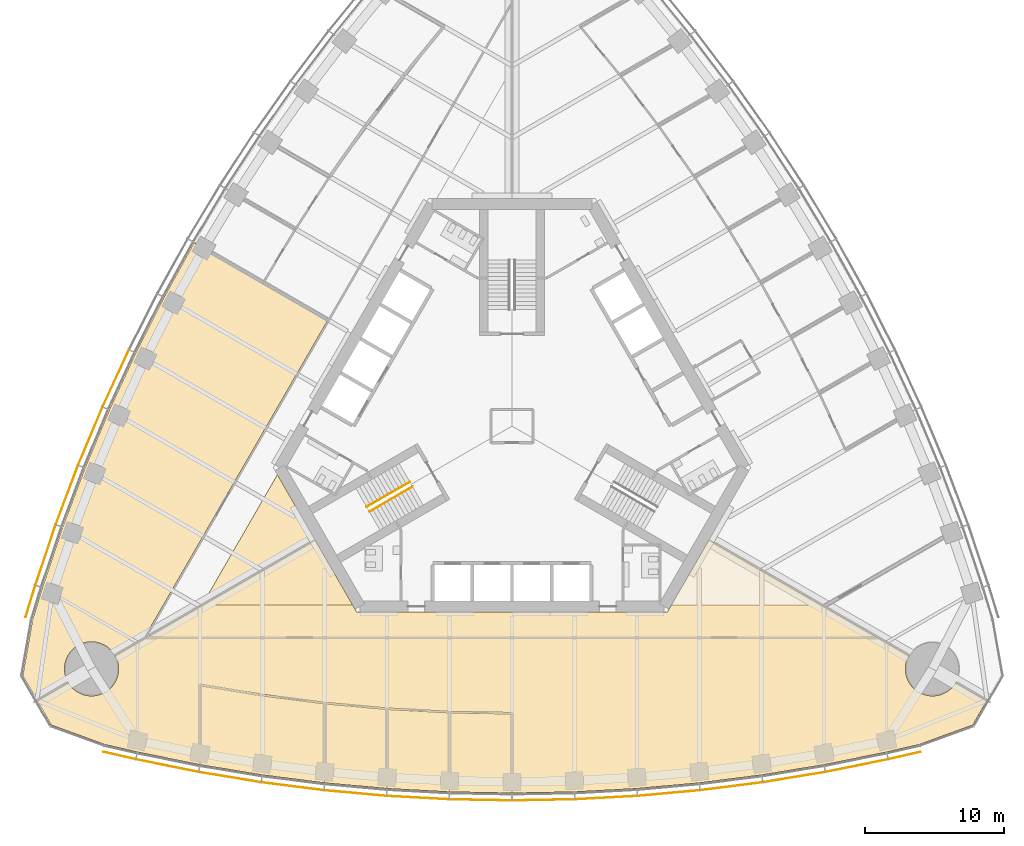
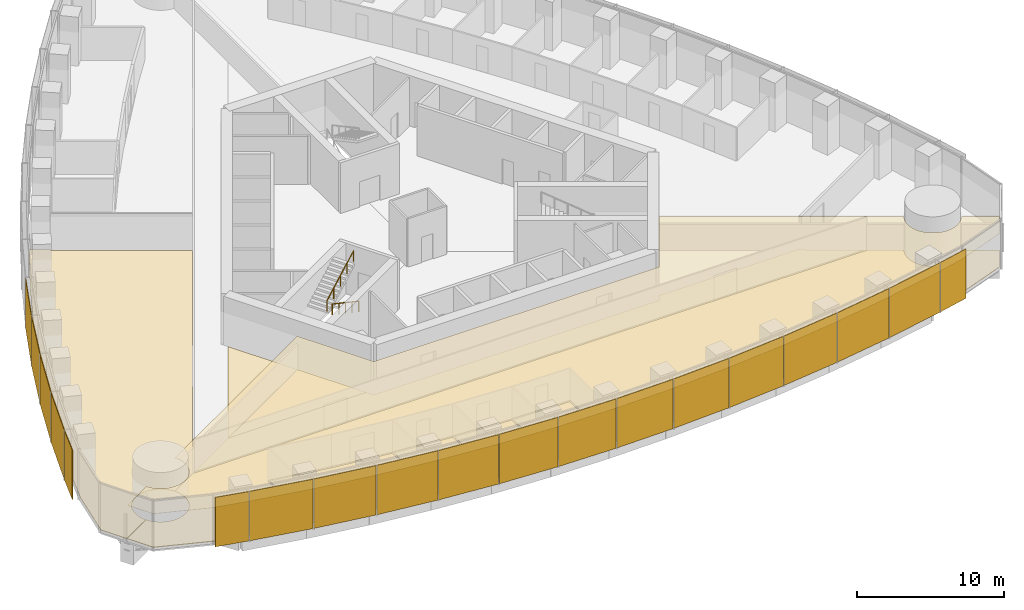
# One storey, part 15 of 19: 19 shading devices, 10 coverings, 2 railings.
"""IFC4 building model written with IfcOpenShell, lengths in metres."""

from ifc_helpers import new_model, si_unit, direction, frame, origin, origin_2d, place, context, subcontext, project, spatial, polyline, rectangle, circle, outline, extrude, material, layer, layer_set, type_object, element, save


model = new_model("IFC4")

# Units and contexts
model_context = context("Model", 3, precision=1e-05, world=origin(), true_north=direction((0.0, 1.0)))
body_context = subcontext(model_context, "Body", "Model", "MODEL_VIEW")
ifc_project = project(units=[si_unit("LENGTHUNIT", "METRE"), si_unit("AREAUNIT", "SQUARE_METRE"), si_unit("VOLUMEUNIT", "CUBIC_METRE"), si_unit("PLANEANGLEUNIT", "RADIAN"), si_unit("MASSUNIT", "GRAM", prefix="KILO")], contexts=[model_context])

# Site, building, storey
site_placement = place(None, origin())
site = spatial("IfcSite", under=ifc_project, at=site_placement, CompositionType="ELEMENT")
building_placement = place(site_placement, origin())
building = spatial("IfcBuilding", under=site, at=building_placement, Name="Trefoil Bronze Tower", CompositionType="ELEMENT")
storey_placement = place(building_placement, frame((0.0, 0.0, 136.699951171875)))
storey = spatial("IfcBuildingStorey", under=building, at=storey_placement, Name="L31", CompositionType="ELEMENT", Elevation=136.699951171875)

# Shading devices
ifc_material_1 = material(Name="Perforated bronze sheet", Category="bronze")
ifc_layer_1 = layer(ifc_material_1, 0.0400390625)
ifc_layer_set_1 = layer_set([ifc_layer_1], Name="Bronze solar screen panel")
shading_device_type = type_object("IfcShadingDeviceType", Name="Bronze solar screen panel", PredefinedType="SHUTTER", material=ifc_layer_set_1)
shading_device_1_placement = place(storey_placement, frame((-28.30078125, -23.748779296875, 0.050048828125), z_axis=(0.0, 0.0, 1.0), x_axis=(0.97420444715, -0.225667222151, 0.0)))
element("IfcShadingDevice", 1, at=shading_device_1_placement, inside=storey, type_object=shading_device_type, Name="Solar screen CW-A L31 F1 bay 1", PredefinedType="SHUTTER", context=body_context, shape_type="SweptSolid", body=[
    extrude(rectangle(XDim=2.39013671875, YDim=0.0400390625, at=origin_2d()), origin(), (0.0, 0.0, 1.0), 4.10009765625),
])
shading_device_2_placement = place(storey_placement, frame((-24.85693359375, -24.480224609375, 0.050048828125), z_axis=(0.0, 0.0, 1.0), x_axis=(0.980155155547, -0.198231861853, 0.0)))
element("IfcShadingDevice", 2, at=shading_device_2_placement, inside=storey, type_object=shading_device_type, Name="Solar screen CW-A L31 F1 bay 2", PredefinedType="SHUTTER", context=body_context, shape_type="SweptSolid", body=[
    extrude(rectangle(XDim=4.56103515625, YDim=0.0400390625, at=origin_2d()), origin(), (0.0, 0.0, 1.0), 4.10009765625),
])
shading_device_3_placement = place(storey_placement, frame((-20.337646484375, -25.30859375, 0.050048828125), z_axis=(0.0, 0.0, 1.0), x_axis=(0.986759655731, -0.162189339418, 0.0)))
element("IfcShadingDevice", 3, at=shading_device_3_placement, inside=storey, type_object=shading_device_type, Name="Solar screen CW-A L31 F1 bay 3", PredefinedType="SHUTTER", context=body_context, shape_type="SweptSolid", body=[
    extrude(rectangle(XDim=4.5302734375, YDim=0.0400390625, at=origin_2d()), origin(), (0.0, 0.0, 1.0), 4.10009765625),
])
shading_device_4_placement = place(storey_placement, frame((-15.818115234375, -25.96728515625, 0.050048828125), z_axis=(0.0, 0.0, 1.0), x_axis=(0.992011554286, -0.126147041833, 0.0)))
element("IfcShadingDevice", 4, at=shading_device_4_placement, inside=storey, type_object=shading_device_type, Name="Solar screen CW-A L31 F1 bay 4", PredefinedType="SHUTTER", context=body_context, shape_type="SweptSolid", body=[
    extrude(rectangle(XDim=4.50634765625, YDim=0.0400390625, at=origin_2d()), origin(), (0.0, 0.0, 1.0), 4.10009765625),
])
shading_device_5_placement = place(storey_placement, frame((-11.298583984375, -26.459228515625, 0.050048828125), z_axis=(0.0, 0.0, 1.0), x_axis=(0.995932279146, -0.090104913044, 0.0)))
element("IfcShadingDevice", 5, at=shading_device_5_placement, inside=storey, type_object=shading_device_type, Name="Solar screen CW-A L31 F1 bay 5", PredefinedType="SHUTTER", context=body_context, shape_type="SweptSolid", body=[
    extrude(rectangle(XDim=4.48828125, YDim=0.0400390625, at=origin_2d()), origin(), (0.0, 0.0, 1.0), 4.10009765625),
])
shading_device_6_placement = place(storey_placement, frame((-6.779296875, -26.785888671875, 0.050048828125), z_axis=(0.0, 0.0, 1.0), x_axis=(0.998537531923, -0.054062901701, 0.0)))
element("IfcShadingDevice", 6, at=shading_device_6_placement, inside=storey, type_object=shading_device_type, Name="Solar screen CW-A L31 F1 bay 6", PredefinedType="SHUTTER", context=body_context, shape_type="SweptSolid", body=[
    extrude(rectangle(XDim=4.4765625, YDim=0.0400390625, at=origin_2d()), origin(), (0.0, 0.0, 1.0), 4.10009765625),
])
for number, where, z_axis, x_axis, name in (
    (7, (-2.259765625, -26.948974609375, 0.050048828125), (0.0, 0.0, 1.0), (0.999837609322, -0.018020959612, 0.0), "Solar screen CW-A L31 F1 bay 7"),
    (8, (2.259765625, -26.948974609375, 0.050048828125), (0.0, 0.0, 1.0), (0.999837609322, 0.018020959612, 0.0), "Solar screen CW-A L31 F1 bay 8"),
):
    element("IfcShadingDevice", number, at=place(storey_placement, frame(where, z_axis=z_axis, x_axis=x_axis)), inside=storey, type_object=shading_device_type, Name=name, PredefinedType="SHUTTER", context=body_context, shape_type="SweptSolid", body=[
        extrude(rectangle(XDim=4.470703125, YDim=0.0400390625, at=origin_2d()), origin(), (0.0, 0.0, 1.0), 4.10009765625),
    ])
shading_device_7_placement = place(storey_placement, frame((6.779296875, -26.785888671875, 0.050048828125), z_axis=(0.0, 0.0, 1.0), x_axis=(0.998537531923, 0.054062901701, 0.0)))
element("IfcShadingDevice", 9, at=shading_device_7_placement, inside=storey, type_object=shading_device_type, Name="Solar screen CW-A L31 F1 bay 9", PredefinedType="SHUTTER", context=body_context, shape_type="SweptSolid", body=[
    extrude(rectangle(XDim=4.4765625, YDim=0.0400390625, at=origin_2d()), origin(), (0.0, 0.0, 1.0), 4.10009765625),
])
shading_device_8_placement = place(storey_placement, frame((11.298583984375, -26.459228515625, 0.050048828125), z_axis=(0.0, 0.0, 1.0), x_axis=(0.995932279146, 0.090104913044, 0.0)))
element("IfcShadingDevice", 10, at=shading_device_8_placement, inside=storey, type_object=shading_device_type, Name="Solar screen CW-A L31 F1 bay 10", PredefinedType="SHUTTER", context=body_context, shape_type="SweptSolid", body=[
    extrude(rectangle(XDim=4.48828125, YDim=0.0400390625, at=origin_2d()), origin(), (0.0, 0.0, 1.0), 4.10009765625),
])
shading_device_9_placement = place(storey_placement, frame((15.818115234375, -25.96728515625, 0.050048828125), z_axis=(0.0, 0.0, 1.0), x_axis=(0.992011554286, 0.126147041833, 0.0)))
element("IfcShadingDevice", 11, at=shading_device_9_placement, inside=storey, type_object=shading_device_type, Name="Solar screen CW-A L31 F1 bay 11", PredefinedType="SHUTTER", context=body_context, shape_type="SweptSolid", body=[
    extrude(rectangle(XDim=4.50634765625, YDim=0.0400390625, at=origin_2d()), origin(), (0.0, 0.0, 1.0), 4.10009765625),
])
shading_device_10_placement = place(storey_placement, frame((20.337646484375, -25.30859375, 0.050048828125), z_axis=(0.0, 0.0, 1.0), x_axis=(0.986759655731, 0.162189339418, 0.0)))
element("IfcShadingDevice", 12, at=shading_device_10_placement, inside=storey, type_object=shading_device_type, Name="Solar screen CW-A L31 F1 bay 12", PredefinedType="SHUTTER", context=body_context, shape_type="SweptSolid", body=[
    extrude(rectangle(XDim=4.5302734375, YDim=0.0400390625, at=origin_2d()), origin(), (0.0, 0.0, 1.0), 4.10009765625),
])
shading_device_11_placement = place(storey_placement, frame((24.85693359375, -24.480224609375, 0.050048828125), z_axis=(0.0, 0.0, 1.0), x_axis=(0.980155155547, 0.198231861853, 0.0)))
element("IfcShadingDevice", 13, at=shading_device_11_placement, inside=storey, type_object=shading_device_type, Name="Solar screen CW-A L31 F1 bay 13", PredefinedType="SHUTTER", context=body_context, shape_type="SweptSolid", body=[
    extrude(rectangle(XDim=4.56103515625, YDim=0.0400390625, at=origin_2d()), origin(), (0.0, 0.0, 1.0), 4.10009765625),
])
shading_device_12_placement = place(storey_placement, frame((28.30078125, -23.748779296875, 0.050048828125), z_axis=(0.0, 0.0, 1.0), x_axis=(0.97420444715, 0.225667222151, 0.0)))
element("IfcShadingDevice", 14, at=shading_device_12_placement, inside=storey, type_object=shading_device_type, Name="Solar screen CW-A L31 F1 bay 14", PredefinedType="SHUTTER", context=body_context, shape_type="SweptSolid", body=[
    extrude(rectangle(XDim=2.39013671875, YDim=0.0400390625, at=origin_2d()), origin(), (0.0, 0.0, 1.0), 4.10009765625),
])
shading_device_13_placement = place(storey_placement, frame((-28.563720703125, 3.444580078125, 0.050048828125), z_axis=(0.0, 0.0, 1.0), x_axis=(-0.419932995871, -0.907555110712, 0.0)))
element("IfcShadingDevice", 15, at=shading_device_13_placement, inside=storey, type_object=shading_device_type, Name="Solar screen CW-A L31 F3 bay 10", PredefinedType="SHUTTER", context=body_context, shape_type="SweptSolid", body=[
    extrude(rectangle(XDim=4.48828125, YDim=0.0400390625, at=origin_2d()), origin(), (0.0, 0.0, 1.0), 4.10009765625),
])
shading_device_14_placement = place(storey_placement, frame((-30.3974609375, -0.715087890625, 0.050048828125), z_axis=(0.0, 0.0, 1.0), x_axis=(-0.386759234303, -0.922180727776, 0.0)))
element("IfcShadingDevice", 16, at=shading_device_14_placement, inside=storey, type_object=shading_device_type, Name="Solar screen CW-A L31 F3 bay 11", PredefinedType="SHUTTER", context=body_context, shape_type="SweptSolid", body=[
    extrude(rectangle(XDim=4.50634765625, YDim=0.0400390625, at=origin_2d()), origin(), (0.0, 0.0, 1.0), 4.10009765625),
])
shading_device_15_placement = place(storey_placement, frame((-32.086669921875, -4.95849609375, 0.050048828125), z_axis=(0.0, 0.0, 1.0), x_axis=(-0.352919739707, -0.935653599002, 0.0)))
element("IfcShadingDevice", 17, at=shading_device_15_placement, inside=storey, type_object=shading_device_type, Name="Solar screen CW-A L31 F3 bay 12", PredefinedType="SHUTTER", context=body_context, shape_type="SweptSolid", body=[
    extrude(rectangle(XDim=4.5302734375, YDim=0.0400390625, at=origin_2d()), origin(), (0.0, 0.0, 1.0), 4.10009765625),
])
shading_device_16_placement = place(storey_placement, frame((-33.62890625, -9.286865234375, 0.050048828125), z_axis=(0.0, 0.0, 1.0), x_axis=(-0.318403749569, -0.947955195281, 0.0)))
element("IfcShadingDevice", 18, at=shading_device_16_placement, inside=storey, type_object=shading_device_type, Name="Solar screen CW-A L31 F3 bay 13", PredefinedType="SHUTTER", context=body_context, shape_type="SweptSolid", body=[
    extrude(rectangle(XDim=4.56103515625, YDim=0.0400390625, at=origin_2d()), origin(), (0.0, 0.0, 1.0), 4.10009765625),
])
shading_device_17_placement = place(storey_placement, frame((-34.717529296875, -12.634765625, 0.050048828125), z_axis=(0.0, 0.0, 1.0), x_axis=(-0.291668676391, -0.956519410787, 0.0)))
element("IfcShadingDevice", 19, at=shading_device_17_placement, inside=storey, type_object=shading_device_type, Name="Solar screen CW-A L31 F3 bay 14", PredefinedType="SHUTTER", context=body_context, shape_type="SweptSolid", body=[
    extrude(rectangle(XDim=2.39013671875, YDim=0.0400390625, at=origin_2d()), origin(), (0.0, 0.0, 1.0), 4.10009765625),
])

# Railings
ifc_material_2 = material(Name="Steel handrail", Category="steel")
railing_type = type_object("IfcRailingType", Name="Handrail 900", PredefinedType="HANDRAIL", material=ifc_material_2)
railing_1_placement = place(storey_placement, frame((-7.166015625, -4.3681640625, 0.16162109375)))
element("IfcRailing", 20, at=railing_1_placement, inside=storey, type_object=railing_type, Name="Handrail ST3 flight 1 L31", PredefinedType="HANDRAIL", context=body_context, shape_type="SweptSolid", body=[
    extrude(circle(Radius=0.02392578125, at=origin_2d()), frame((0.0, 0.0, 0.8759765625), z_axis=(-0.76250339821, -0.440245697338, 0.474101564745), x_axis=(0.500012057535, -0.866018442252, 0.0)), (0.0, 0.0, 1.0), 4.088623046875),
    extrude(circle(Radius=0.02099609375, at=origin_2d()), origin(), (0.0, 0.0, 1.0), 0.851806640625),
    extrude(circle(Radius=0.02099609375, at=origin_2d()), frame((-0.779296875, -0.449951171875, 0.484619140625)), (0.0, 0.0, 1.0), 0.851806640625),
    extrude(circle(Radius=0.02099609375, at=origin_2d()), frame((-1.558837890625, -0.89990234375, 0.96923828125)), (0.0, 0.0, 1.0), 0.851806640625),
    extrude(circle(Radius=0.02099609375, at=origin_2d()), frame((-2.33837890625, -1.35009765625, 1.453857421875)), (0.0, 0.0, 1.0), 0.851806640625),
    extrude(circle(Radius=0.02099609375, at=origin_2d()), frame((-3.11767578125, -1.800048828125, 1.9384765625)), (0.0, 0.0, 1.0), 0.851806640625),
])
railing_2_placement = place(storey_placement, frame((-10.483642578125, -5.82177734375, 2.261474609375)))
element("IfcRailing", 21, at=railing_2_placement, inside=storey, type_object=railing_type, Name="Handrail ST3 flight 2 L31", PredefinedType="HANDRAIL", context=body_context, shape_type="SweptSolid", body=[
    extrude(circle(Radius=0.02392578125, at=origin_2d()), frame((0.0, 0.0, 0.8759765625), z_axis=(0.76250339821, 0.440245697338, 0.474101564745), x_axis=(-0.500012057535, 0.866018442252, 0.0)), (0.0, 0.0, 1.0), 4.088623046875),
    extrude(circle(Radius=0.02099609375, at=origin_2d()), origin(), (0.0, 0.0, 1.0), 0.851806640625),
    extrude(circle(Radius=0.02099609375, at=origin_2d()), frame((0.779296875, 0.449951171875, 0.484619140625)), (0.0, 0.0, 1.0), 0.851806640625),
    extrude(circle(Radius=0.02099609375, at=origin_2d()), frame((1.558837890625, 0.89990234375, 0.96923828125)), (0.0, 0.0, 1.0), 0.851806640625),
    extrude(circle(Radius=0.02099609375, at=origin_2d()), frame((2.33837890625, 1.35009765625, 1.453857421875)), (0.0, 0.0, 1.0), 0.851806640625),
    extrude(circle(Radius=0.02099609375, at=origin_2d()), frame((3.11767578125, 1.800048828125, 1.9384765625)), (0.0, 0.0, 1.0), 0.851806640625),
])

# Coverings
ifc_material_3 = material(Name="Acoustic ceiling panels", Category="mineral fibre")
ifc_layer_2 = layer(ifc_material_3, 0.02001953125)
ifc_layer_set_2 = layer_set([ifc_layer_2], Name="Office ceiling 20")
covering_type_1 = type_object("IfcCoveringType", Name="Office ceiling 20", PredefinedType="CEILING", material=ifc_layer_set_2)
covering_1_placement = place(storey_placement, frame((0.0, 0.0, 2.900146484375)))
element("IfcCovering", 22, at=covering_1_placement, inside=storey, type_object=covering_type_1, Name="Ceiling L31 Open-plan office F1", PredefinedType="CEILING", context=body_context, shape_type="SweptSolid", body=[
    extrude(outline(polyline([(-31.932373046875, -18.58349609375), (-31.877197265625, -18.66162109375), (-31.818359375, -18.737060546875), (-31.755615234375, -18.8095703125), (-31.689697265625, -18.87890625), (-31.620361328125, -18.94482421875), (-31.548095703125, -19.00732421875), (-31.472412109375, -19.06640625), (-31.394287109375, -19.121337890625), (-31.3134765625, -19.172607421875), (-31.22998046875, -19.2197265625), (-31.14453125, -19.2626953125), (-31.05712890625, -19.301513671875), (-30.9677734375, -19.3359375), (-30.876953125, -19.365966796875), (-30.78466796875, -19.3916015625), (-30.69140625, -19.41259765625), (-30.596923828125, -19.428955078125), (-30.501953125, -19.440673828125), (-30.406494140625, -19.44775390625), (-30.310791015625, -19.449951171875), (-30.215087890625, -19.44775390625), (-30.119873046875, -19.440673828125), (-30.02490234375, -19.428955078125), (-29.930419921875, -19.41259765625), (-29.837158203125, -19.3916015625), (-29.744873046875, -19.365966796875), (-29.654052734375, -19.3359375), (-29.564697265625, -19.301513671875), (-29.477294921875, -19.2626953125), (-29.3916015625, -19.2197265625), (-29.308349609375, -19.172607421875), (-29.2275390625, -19.121337890625), (-29.1494140625, -19.06640625), (-29.07373046875, -19.00732421875), (-29.001220703125, -18.94482421875), (-28.931884765625, -18.87890625), (-28.865966796875, -18.8095703125), (-28.803466796875, -18.737060546875), (-28.74462890625, -18.66162109375), (-28.689453125, -18.58349609375), (-28.63818359375, -18.50244140625), (-28.591064453125, -18.419189453125), (-28.548095703125, -18.333740234375), (-28.50927734375, -18.24609375), (-28.474853515625, -18.156982421875), (-28.44482421875, -18.066162109375), (-28.419189453125, -17.973876953125), (-28.3984375, -17.88037109375), (-28.382080078125, -17.7861328125), (-28.370361328125, -17.691162109375), (-28.36328125, -17.595703125), (-28.36083984375, -17.5), (-28.36328125, -17.404296875), (-28.370361328125, -17.308837890625), (-28.382080078125, -17.2138671875), (-28.3984375, -17.11962890625), (-28.419189453125, -17.026123046875), (-28.44482421875, -16.933837890625), (-28.474853515625, -16.843017578125), (-28.50927734375, -16.75390625), (-28.548095703125, -16.666259765625), (-28.591064453125, -16.580810546875), (-28.616455078125, -16.535888671875), (-14.19970703125, -8.205322265625), (-11.20068359375, -13.39990234375), (11.20068359375, -13.39990234375), (14.19970703125, -8.205322265625), (28.616455078125, -16.535888671875), (28.591064453125, -16.580810546875), (28.548095703125, -16.666259765625), (28.50927734375, -16.75390625), (28.474853515625, -16.843017578125), (28.44482421875, -16.933837890625), (28.419189453125, -17.026123046875), (28.3984375, -17.11962890625), (28.382080078125, -17.2138671875), (28.370361328125, -17.308837890625), (28.36328125, -17.404296875), (28.36083984375, -17.5), (28.36328125, -17.595703125), (28.370361328125, -17.691162109375), (28.382080078125, -17.7861328125), (28.3984375, -17.88037109375), (28.419189453125, -17.973876953125), (28.44482421875, -18.066162109375), (28.474853515625, -18.156982421875), (28.50927734375, -18.24609375), (28.548095703125, -18.333740234375), (28.591064453125, -18.419189453125), (28.63818359375, -18.50244140625), (28.689453125, -18.58349609375), (28.74462890625, -18.66162109375), (28.803466796875, -18.737060546875), (28.865966796875, -18.8095703125), (28.931884765625, -18.87890625), (29.001220703125, -18.94482421875), (29.07373046875, -19.00732421875), (29.1494140625, -19.06640625), (29.2275390625, -19.121337890625), (29.308349609375, -19.172607421875), (29.3916015625, -19.2197265625), (29.477294921875, -19.2626953125), (29.564697265625, -19.301513671875), (29.654052734375, -19.3359375), (29.744873046875, -19.365966796875), (29.837158203125, -19.3916015625), (29.930419921875, -19.41259765625), (30.02490234375, -19.428955078125), (30.119873046875, -19.440673828125), (30.215087890625, -19.44775390625), (30.310791015625, -19.449951171875), (30.406494140625, -19.44775390625), (30.501953125, -19.440673828125), (30.596923828125, -19.428955078125), (30.69140625, -19.41259765625), (30.78466796875, -19.3916015625), (30.876953125, -19.365966796875), (30.9677734375, -19.3359375), (31.05712890625, -19.301513671875), (31.14453125, -19.2626953125), (31.22998046875, -19.2197265625), (31.3134765625, -19.172607421875), (31.394287109375, -19.121337890625), (31.472412109375, -19.06640625), (31.548095703125, -19.00732421875), (31.620361328125, -18.94482421875), (31.689697265625, -18.87890625), (31.755615234375, -18.8095703125), (31.818359375, -18.737060546875), (31.877197265625, -18.66162109375), (31.932373046875, -18.58349609375), (31.992431640625, -18.48681640625), (34.233154296875, -19.781494140625), (33.21435546875, -21.5458984375), (29.357666015625, -22.94970703125), (27.0, -23.495849609375), (22.5, -24.406005859375), (18.0, -25.1455078125), (13.5, -25.7177734375), (9.0, -26.125), (4.5, -26.36865234375), (0.0, -26.44970703125), (-4.5, -26.36865234375), (-9.0, -26.125), (-13.5, -25.7177734375), (-18.0, -25.1455078125), (-22.5, -24.406005859375), (-27.0, -23.495849609375), (-29.357666015625, -22.94970703125), (-33.21435546875, -21.5458984375), (-34.233154296875, -19.781494140625), (-31.992431640625, -18.48681640625), (-31.932373046875, -18.58349609375)])), origin(), (0.0, 0.0, 1.0), 0.02001953125),
])
ifc_material_4 = material(Name="Raised access floor panels", Category="steel")
ifc_layer_3 = layer(ifc_material_4, 0.050048828125)
ifc_layer_set_3 = layer_set([ifc_layer_3], Name="Raised access floor 150")
covering_type_2 = type_object("IfcCoveringType", Name="Raised access floor 150", PredefinedType="FLOORING", material=ifc_layer_set_3)
covering_2_placement = place(storey_placement, frame((0.0, 0.0, 0.10009765625)))
element("IfcCovering", 23, at=covering_2_placement, inside=storey, type_object=covering_type_2, Name="Raised floor L31 Kitchen and breakout F1", PredefinedType="FLOORING", context=body_context, shape_type="SweptSolid", body=[
    extrude(outline(polyline([(-18.0, -25.1455078125), (-22.5, -24.406005859375), (-22.5, -22.9013671875), (-22.43994140625, -22.9013671875), (-22.43994140625, -18.7265625), (-18.009765625, -19.454833984375), (-18.0, -19.3955078125), (-18.007568359375, -19.455078125), (-13.56005859375, -20.020751953125), (-13.56005859375, -24.22900390625), (-13.5, -24.22900390625), (-13.5, -25.7177734375), (-18.0, -25.1455078125)])), origin(), (0.0, 0.0, 1.0), 0.050048828125),
])
covering_3_placement = place(storey_placement, frame((0.0, 0.0, 0.10009765625)))
element("IfcCovering", 24, at=covering_3_placement, inside=storey, type_object=covering_type_2, Name="Raised floor L31 Meeting room F1", PredefinedType="FLOORING", context=body_context, shape_type="SweptSolid", body=[
    extrude(outline(polyline([(-9.0, -26.125), (-13.5, -25.7177734375), (-13.5, -24.22900390625), (-13.43994140625, -24.22900390625), (-13.43994140625, -20.033447265625), (-9.06005859375, -20.4296875), (-9.06005859375, -24.64111328125), (-9.0, -24.64111328125), (-9.0, -26.125)])), origin(), (0.0, 0.0, 1.0), 0.050048828125),
])
covering_4_placement = place(storey_placement, frame((0.0, 0.0, 0.10009765625)))
element("IfcCovering", 25, at=covering_4_placement, inside=storey, type_object=covering_type_2, Name="Raised floor L31 Meeting room F1", PredefinedType="FLOORING", context=body_context, shape_type="SweptSolid", body=[
    extrude(outline(polyline([(-4.5, -26.36865234375), (-9.0, -26.125), (-9.0, -24.64111328125), (-8.93994140625, -24.64111328125), (-8.93994140625, -20.438232421875), (-4.56005859375, -20.67529296875), (-4.56005859375, -24.8876953125), (-4.5, -24.8876953125), (-4.5, -26.36865234375)])), origin(), (0.0, 0.0, 1.0), 0.050048828125),
])
covering_5_placement = place(storey_placement, frame((0.0, 0.0, 0.10009765625)))
element("IfcCovering", 26, at=covering_5_placement, inside=storey, type_object=covering_type_2, Name="Raised floor L31 Meeting room F1", PredefinedType="FLOORING", context=body_context, shape_type="SweptSolid", body=[
    extrude(outline(polyline([(0.0, -26.44970703125), (-4.5, -26.36865234375), (-4.5, -24.8876953125), (-4.43994140625, -24.8876953125), (-4.43994140625, -20.6796875), (-0.06005859375, -20.758544921875), (-0.06005859375, -24.9697265625), (0.0, -24.9697265625), (0.0, -26.44970703125)])), origin(), (0.0, 0.0, 1.0), 0.050048828125),
])
covering_6_placement = place(storey_placement, frame((0.0, 0.0, 0.10009765625)))
element("IfcCovering", 27, at=covering_6_placement, inside=storey, type_object=covering_type_2, Name="Raised floor L31 Corridor F1", PredefinedType="FLOORING", context=body_context, shape_type="SweptSolid", body=[
    extrude(outline(polyline([(-26.304443359375, -15.199951171875), (-22.32421875, -12.89990234375), (-11.4892578125, -12.89990234375), (-11.20068359375, -13.39990234375), (11.20068359375, -13.39990234375), (11.4892578125, -12.89990234375), (22.32421875, -12.89990234375), (26.304443359375, -15.199951171875), (-26.304443359375, -15.199951171875)])), origin(), (0.0, 0.0, 1.0), 0.050048828125),
])
covering_7_placement = place(storey_placement, frame((0.0, 0.0, 0.10009765625)))
element("IfcCovering", 28, at=covering_7_placement, inside=storey, type_object=covering_type_2, Name="Raised floor L31 Open-plan office F1", PredefinedType="FLOORING", context=body_context, shape_type="SweptSolid", body=[
    extrude(outline(polyline([(-28.616455078125, -16.535888671875), (-26.398193359375, -15.254150390625), (-26.398193359375, -15.320068359375), (26.398193359375, -15.320068359375), (26.398193359375, -15.254150390625), (28.616455078125, -16.535888671875), (28.591064453125, -16.580810546875), (28.548095703125, -16.666259765625), (28.50927734375, -16.75390625), (28.474853515625, -16.843017578125), (28.44482421875, -16.933837890625), (28.419189453125, -17.026123046875), (28.3984375, -17.11962890625), (28.382080078125, -17.2138671875), (28.370361328125, -17.308837890625), (28.36328125, -17.404296875), (28.36083984375, -17.5), (28.36328125, -17.595703125), (28.370361328125, -17.691162109375), (28.382080078125, -17.7861328125), (28.3984375, -17.88037109375), (28.419189453125, -17.973876953125), (28.44482421875, -18.066162109375), (28.474853515625, -18.156982421875), (28.50927734375, -18.24609375), (28.548095703125, -18.333740234375), (28.591064453125, -18.419189453125), (28.63818359375, -18.50244140625), (28.689453125, -18.58349609375), (28.74462890625, -18.66162109375), (28.803466796875, -18.737060546875), (28.865966796875, -18.8095703125), (28.931884765625, -18.87890625), (29.001220703125, -18.94482421875), (29.07373046875, -19.00732421875), (29.1494140625, -19.06640625), (29.2275390625, -19.121337890625), (29.308349609375, -19.172607421875), (29.3916015625, -19.2197265625), (29.477294921875, -19.2626953125), (29.564697265625, -19.301513671875), (29.654052734375, -19.3359375), (29.744873046875, -19.365966796875), (29.837158203125, -19.3916015625), (29.930419921875, -19.41259765625), (30.02490234375, -19.428955078125), (30.119873046875, -19.440673828125), (30.215087890625, -19.44775390625), (30.310791015625, -19.449951171875), (30.406494140625, -19.44775390625), (30.501953125, -19.440673828125), (30.596923828125, -19.428955078125), (30.69140625, -19.41259765625), (30.78466796875, -19.3916015625), (30.876953125, -19.365966796875), (30.9677734375, -19.3359375), (31.05712890625, -19.301513671875), (31.14453125, -19.2626953125), (31.22998046875, -19.2197265625), (31.3134765625, -19.172607421875), (31.394287109375, -19.121337890625), (31.472412109375, -19.06640625), (31.548095703125, -19.00732421875), (31.620361328125, -18.94482421875), (31.689697265625, -18.87890625), (31.755615234375, -18.8095703125), (31.818359375, -18.737060546875), (31.877197265625, -18.66162109375), (31.932373046875, -18.58349609375), (31.992431640625, -18.48681640625), (34.233154296875, -19.781494140625), (33.21435546875, -21.5458984375), (29.357666015625, -22.94970703125), (27.0, -23.495849609375), (22.5, -24.406005859375), (18.0, -25.1455078125), (13.5, -25.7177734375), (9.0, -26.125), (4.5, -26.36865234375), (0.0, -26.44970703125), (0.0, -24.9697265625), (0.06005859375, -24.9697265625), (0.06005859375, -20.69970703125), (0.0, -20.69970703125), (0.001220703125, -20.6396484375), (-4.497802734375, -20.55859375), (-8.99560546875, -20.315185546875), (-13.493408203125, -19.908203125), (-16.75146484375, -19.493896484375), (-19.231201171875, -19.13232421875), (-22.490234375, -18.5966796875), (-22.5, -18.656005859375), (-22.56005859375, -18.656005859375), (-22.56005859375, -22.9013671875), (-22.5, -22.9013671875), (-22.5, -24.406005859375), (-27.0, -23.495849609375), (-29.357666015625, -22.94970703125), (-33.21435546875, -21.5458984375), (-34.233154296875, -19.781494140625), (-31.992431640625, -18.48681640625), (-31.932373046875, -18.58349609375), (-31.877197265625, -18.66162109375), (-31.818359375, -18.737060546875), (-31.755615234375, -18.8095703125), (-31.689697265625, -18.87890625), (-31.620361328125, -18.94482421875), (-31.548095703125, -19.00732421875), (-31.472412109375, -19.06640625), (-31.394287109375, -19.121337890625), (-31.3134765625, -19.172607421875), (-31.22998046875, -19.2197265625), (-31.14453125, -19.2626953125), (-31.05712890625, -19.301513671875), (-30.9677734375, -19.3359375), (-30.876953125, -19.365966796875), (-30.78466796875, -19.3916015625), (-30.69140625, -19.41259765625), (-30.596923828125, -19.428955078125), (-30.501953125, -19.440673828125), (-30.406494140625, -19.44775390625), (-30.310791015625, -19.449951171875), (-30.215087890625, -19.44775390625), (-30.119873046875, -19.440673828125), (-30.02490234375, -19.428955078125), (-29.930419921875, -19.41259765625), (-29.837158203125, -19.3916015625), (-29.744873046875, -19.365966796875), (-29.654052734375, -19.3359375), (-29.564697265625, -19.301513671875), (-29.477294921875, -19.2626953125), (-29.3916015625, -19.2197265625), (-29.308349609375, -19.172607421875), (-29.2275390625, -19.121337890625), (-29.1494140625, -19.06640625), (-29.07373046875, -19.00732421875), (-29.001220703125, -18.94482421875), (-28.931884765625, -18.87890625), (-28.865966796875, -18.8095703125), (-28.803466796875, -18.737060546875), (-28.74462890625, -18.66162109375), (-28.689453125, -18.58349609375), (-28.63818359375, -18.50244140625), (-28.591064453125, -18.419189453125), (-28.548095703125, -18.333740234375), (-28.50927734375, -18.24609375), (-28.474853515625, -18.156982421875), (-28.44482421875, -18.066162109375), (-28.419189453125, -17.973876953125), (-28.3984375, -17.88037109375), (-28.382080078125, -17.7861328125), (-28.370361328125, -17.691162109375), (-28.36328125, -17.595703125), (-28.36083984375, -17.5), (-28.36328125, -17.404296875), (-28.370361328125, -17.308837890625), (-28.382080078125, -17.2138671875), (-28.3984375, -17.11962890625), (-28.419189453125, -17.026123046875), (-28.44482421875, -16.933837890625), (-28.474853515625, -16.843017578125), (-28.50927734375, -16.75390625), (-28.548095703125, -16.666259765625), (-28.591064453125, -16.580810546875), (-28.616455078125, -16.535888671875)])), origin(), (0.0, 0.0, 1.0), 0.050048828125),
])
covering_8_placement = place(storey_placement, frame((0.0, 0.0, 0.10009765625)))
element("IfcCovering", 29, at=covering_8_placement, inside=storey, type_object=covering_type_2, Name="Raised floor L31 Open-plan office F1", PredefinedType="FLOORING", context=body_context, shape_type="SweptSolid", body=[
    extrude(outline(polyline([(-22.32421875, -12.89990234375), (-14.19970703125, -8.205322265625), (-11.4892578125, -12.89990234375), (-22.32421875, -12.89990234375)])), origin(), (0.0, 0.0, 1.0), 0.050048828125),
])
covering_9_placement = place(storey_placement, frame((0.0, 0.0, 0.10009765625)))
element("IfcCovering", 30, at=covering_9_placement, inside=storey, type_object=covering_type_2, Name="Raised floor L31 Open-plan office F3", PredefinedType="FLOORING", context=body_context, shape_type="SweptSolid", body=[
    extrude(outline(polyline([(-30.776611328125, -3.015625), (-29.022216796875, 1.16748046875), (-27.124755859375, 5.268310546875), (-25.085693359375, 9.287109375), (-22.906494140625, 13.22412109375), (-21.625, 12.48388671875), (-21.661865234375, 12.419921875), (-13.304931640625, 7.594970703125), (-26.466552734375, -15.201416015625), (-26.40966796875, -15.234375), (-28.628662109375, -16.514404296875), (-28.689453125, -16.41650390625), (-28.74462890625, -16.33837890625), (-28.803466796875, -16.262939453125), (-28.865966796875, -16.1904296875), (-28.931884765625, -16.12109375), (-29.001220703125, -16.05517578125), (-29.07373046875, -15.99267578125), (-29.1494140625, -15.93359375), (-29.2275390625, -15.878662109375), (-29.308349609375, -15.827392578125), (-29.3916015625, -15.7802734375), (-29.477294921875, -15.7373046875), (-29.564697265625, -15.698486328125), (-29.654052734375, -15.6640625), (-29.744873046875, -15.634033203125), (-29.837158203125, -15.6083984375), (-29.930419921875, -15.58740234375), (-30.02490234375, -15.571044921875), (-30.119873046875, -15.559326171875), (-30.215087890625, -15.55224609375), (-30.310791015625, -15.550048828125), (-30.406494140625, -15.55224609375), (-30.501953125, -15.559326171875), (-30.596923828125, -15.571044921875), (-30.69140625, -15.58740234375), (-30.78466796875, -15.6083984375), (-30.876953125, -15.634033203125), (-30.9677734375, -15.6640625), (-31.05712890625, -15.698486328125), (-31.14453125, -15.7373046875), (-31.22998046875, -15.7802734375), (-31.3134765625, -15.827392578125), (-31.394287109375, -15.878662109375), (-31.472412109375, -15.93359375), (-31.548095703125, -15.99267578125), (-31.620361328125, -16.05517578125), (-31.689697265625, -16.12109375), (-31.755615234375, -16.1904296875), (-31.818359375, -16.262939453125), (-31.877197265625, -16.33837890625), (-31.932373046875, -16.41650390625), (-31.9833984375, -16.49755859375), (-32.030517578125, -16.580810546875), (-32.07373046875, -16.666259765625), (-32.112548828125, -16.75390625), (-32.14697265625, -16.843017578125), (-32.177001953125, -16.933837890625), (-32.202392578125, -17.026123046875), (-32.223388671875, -17.11962890625), (-32.23974609375, -17.2138671875), (-32.25146484375, -17.308837890625), (-32.258544921875, -17.404296875), (-32.260986328125, -17.5), (-32.258544921875, -17.595703125), (-32.25146484375, -17.691162109375), (-32.23974609375, -17.7861328125), (-32.223388671875, -17.88037109375), (-32.202392578125, -17.973876953125), (-32.177001953125, -18.066162109375), (-32.14697265625, -18.156982421875), (-32.112548828125, -18.24609375), (-32.07373046875, -18.333740234375), (-32.030517578125, -18.419189453125), (-32.006103515625, -18.462646484375), (-34.247802734375, -19.755859375), (-35.2666015625, -17.99169921875), (-34.5537109375, -13.94970703125), (-33.847900390625, -11.634765625), (-32.385986328125, -7.28271484375), (-30.776611328125, -3.015625)])), origin(), (0.0, 0.0, 1.0), 0.050048828125),
])
covering_10_placement = place(storey_placement, frame((0.0, 0.0, 0.10009765625)))
element("IfcCovering", 31, at=covering_10_placement, inside=storey, type_object=covering_type_2, Name="Raised floor L31 Open-plan office F3", PredefinedType="FLOORING", context=body_context, shape_type="SweptSolid", body=[
    extrude(outline(polyline([(-14.205810546875, -8.194580078125), (-22.333740234375, -12.88330078125), (-16.91650390625, -3.5), (-14.205810546875, -8.194580078125)])), origin(), (0.0, 0.0, 1.0), 0.050048828125),
])

save(model, "model.ifc")
